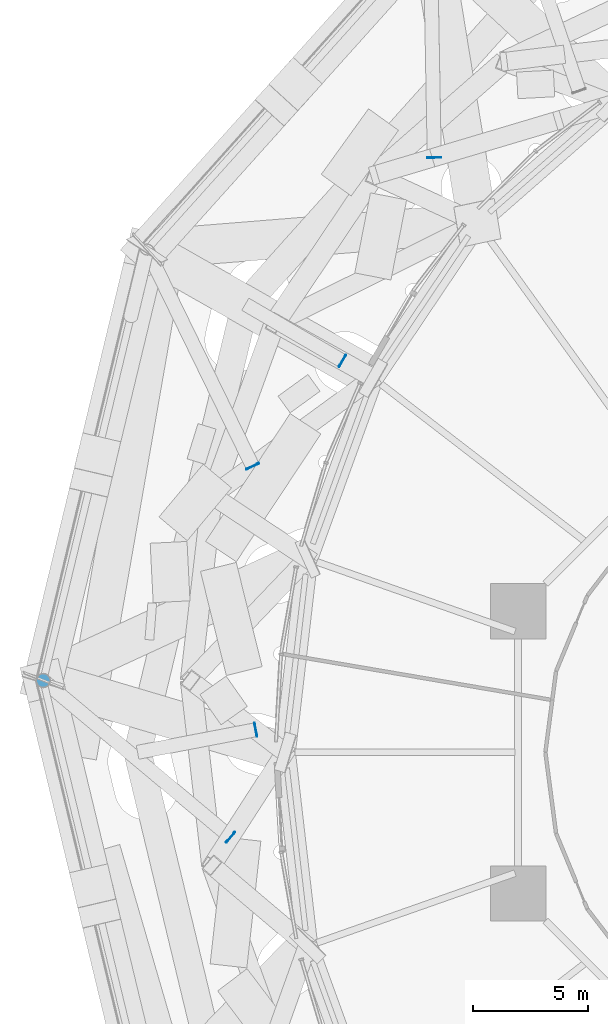
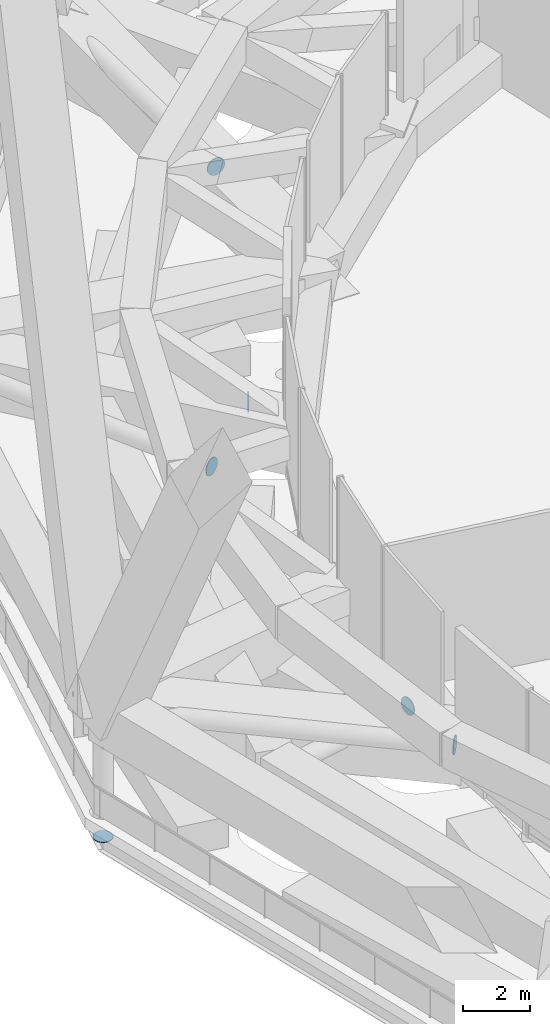
# One storey, part 46 of 51: 6 discrete accessories.
"""IFC4 building model written with IfcOpenShell, lengths in metres."""

from ifc_helpers import new_model, si_unit, direction, frame, origin, origin_2d, place, context, subcontext, project, spatial, circle, extrude, material, layer, layer_set, type_object, element, save


model = new_model("IFC4")

# Units and contexts
model_context = context("Model", 3, precision=1e-05, world=origin(), true_north=direction((0.0, 1.0)))
body_context = subcontext(model_context, "Body", "Model", "MODEL_VIEW")
ifc_project = project(units=[si_unit("LENGTHUNIT", "METRE"), si_unit("AREAUNIT", "SQUARE_METRE"), si_unit("VOLUMEUNIT", "CUBIC_METRE"), si_unit("PLANEANGLEUNIT", "RADIAN"), si_unit("MASSUNIT", "GRAM", prefix="KILO")], contexts=[model_context])

# Site, building, storey
site_placement = place(None, origin())
site = spatial("IfcSite", under=ifc_project, at=site_placement, CompositionType="ELEMENT")
building_placement = place(site_placement, origin())
building = spatial("IfcBuilding", under=site, at=building_placement, Name="Nagisa Residences", CompositionType="ELEMENT")
storey_placement = place(building_placement, frame((0.0, 0.0, 67.699951171875)))
storey = spatial("IfcBuildingStorey", under=building, at=storey_placement, Name="L16", CompositionType="ELEMENT", Elevation=67.699951171875)

# Discrete accessories
ifc_material_1 = material(Name="Steel ASTM A572 Gr 50", Category="steel")
ifc_layer_1 = layer(ifc_material_1, 0.030029296875)
ifc_layer_set_1 = layer_set([ifc_layer_1], Name="End plate")
discrete_accessory_type_1 = type_object("IfcDiscreteAccessoryType", Name="End plate", PredefinedType="ANCHORPLATE", material=ifc_layer_set_1)
discrete_accessory_1_placement = place(storey_placement, frame((-35.39501953125, 3.11767578125, -0.889892578125), z_axis=(0.0, 0.0, -1.0), x_axis=(1.0, 0.0, 0.0)))
element("IfcDiscreteAccessory", 1, at=discrete_accessory_1_placement, inside=storey, type_object=discrete_accessory_type_1, Name="End plate DH106", PredefinedType="ANCHORPLATE", context=body_context, shape_type="SweptSolid", body=[
    extrude(circle(Radius=0.304931640625, at=origin_2d()), origin(), (0.0, 0.0, 1.0), 0.030029296875),
])
ifc_material_2 = material(Name="Steel ASTM A572 Gr 50", Category="steel")
ifc_layer_2 = layer(ifc_material_2, 0.030029296875)
ifc_layer_set_2 = layer_set([ifc_layer_2], Name="Node plate")
discrete_accessory_type_2 = type_object("IfcDiscreteAccessoryType", Name="Node plate", PredefinedType="ANCHORPLATE", material=ifc_layer_set_2)
discrete_accessory_2_placement = place(storey_placement, frame((-22.422607421875, 16.995849609375, 1.900146484375), z_axis=(0.865241683045, -0.501354993914, 0.0), x_axis=(0.501354993914, 0.865241683045, 0.0)))
element("IfcDiscreteAccessory", 2, at=discrete_accessory_2_placement, inside=storey, type_object=discrete_accessory_type_2, Name="Node plate ST1A06", PredefinedType="ANCHORPLATE", context=body_context, shape_type="SweptSolid", body=[
    extrude(circle(Radius=0.304931640625, at=origin_2d()), origin(), (0.0, 0.0, 1.0), 0.0302734375),
])
discrete_accessory_3_placement = place(storey_placement, frame((-26.185791015625, 0.97900390625, 1.900146484375), z_axis=(0.982123011927, 0.188240243953, 0.0), x_axis=(-0.188240243953, 0.982123011927, 0.0)))
element("IfcDiscreteAccessory", 3, at=discrete_accessory_3_placement, inside=storey, type_object=discrete_accessory_type_2, Name="Node plate ST1A07", PredefinedType="ANCHORPLATE", context=body_context, shape_type="SweptSolid", body=[
    extrude(circle(Radius=0.304931640625, at=origin_2d()), origin(), (0.0, 0.0, 1.0), 0.02978515625),
])
for number, where, z_axis, x_axis, name in (
    (4, (-18.42236328125, 25.82666015625, 3.699951171875), (0.024382992455, -0.999702690643, 0.0), (0.999702690643, 0.024382992455, 0.0), "Node plate ST2B05"),
    (5, (-26.313232421875, 12.427490234375, 3.699951171875), (0.437465718849, -0.899235088746, 0.0), (0.899235088746, 0.437465718849, 0.0), "Node plate ST2B06"),
    (6, (-27.2724609375, -3.67626953125, 3.699951171875), (0.765544403935, -0.643383062882, 0.0), (0.643383062882, 0.765544403935, 0.0), "Node plate ST2B07"),
):
    element("IfcDiscreteAccessory", number, at=place(storey_placement, frame(where, z_axis=z_axis, x_axis=x_axis)), inside=storey, type_object=discrete_accessory_type_2, Name=name, PredefinedType="ANCHORPLATE", context=body_context, shape_type="SweptSolid", body=[
        extrude(circle(Radius=0.304931640625, at=origin_2d()), origin(), (0.0, 0.0, 1.0), 0.030029296875),
    ])

save(model, "model.ifc")
